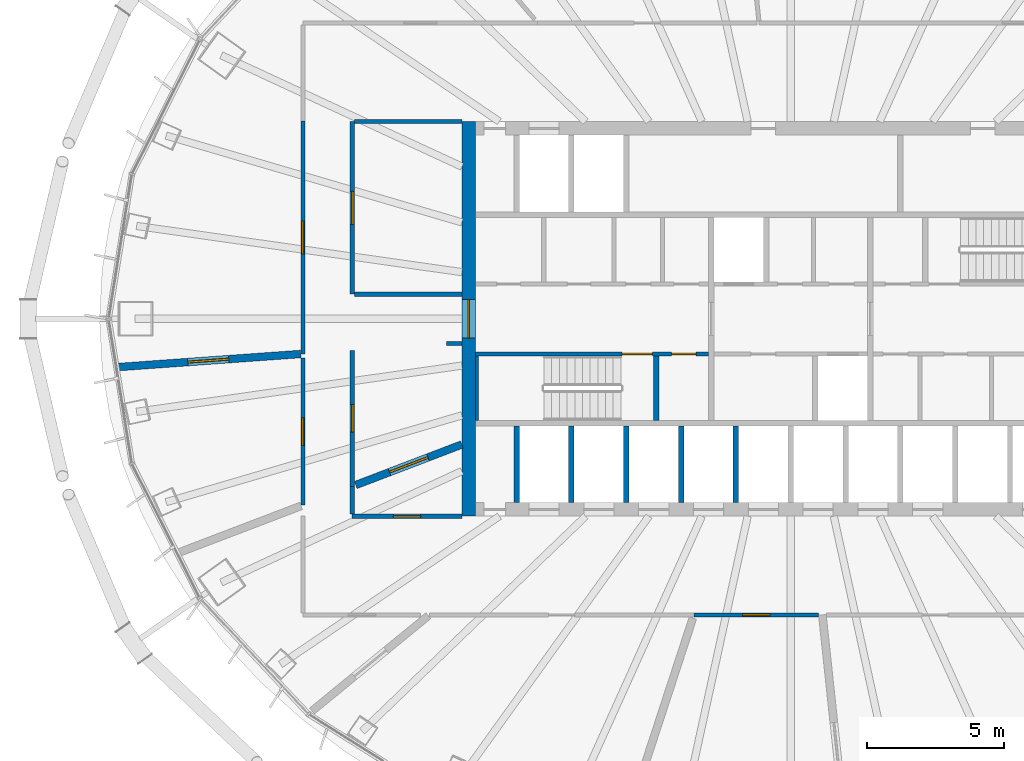
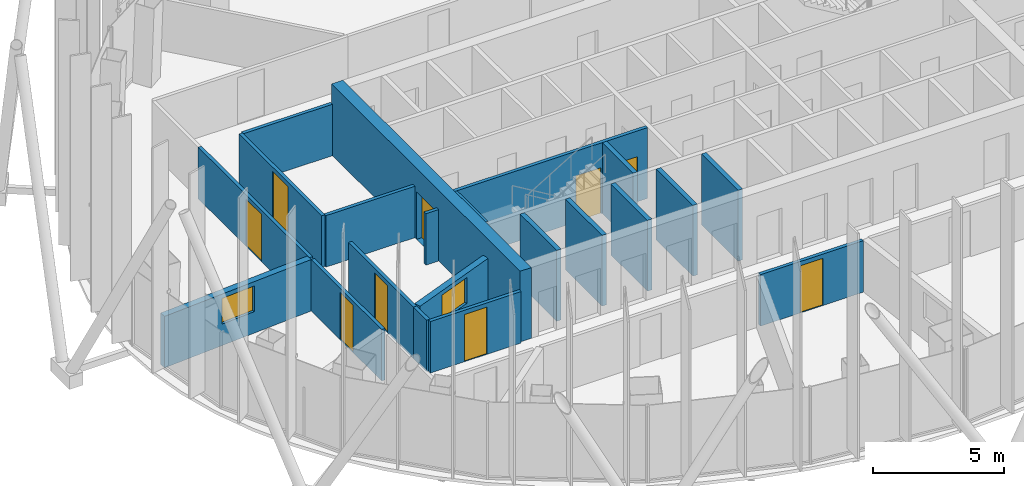
# One storey, part 8 of 19: 21 walls, 9 doors, 2 windows, 11 openings.
"""IFC4 building model written with IfcOpenShell, lengths in metres."""

from ifc_helpers import new_model, si_unit, direction, frame, frame_2d, origin, place, context, subcontext, project, spatial, rectangle, extrude, material, layer, layer_set, type_object, element, fill, save


model = new_model("IFC4")

# Units and contexts
model_context = context("Model", 3, precision=1e-05, world=origin(), true_north=direction((0.0, 1.0)))
body_context = subcontext(model_context, "Body", "Model", "MODEL_VIEW")
ifc_project = project(units=[si_unit("LENGTHUNIT", "METRE"), si_unit("AREAUNIT", "SQUARE_METRE"), si_unit("VOLUMEUNIT", "CUBIC_METRE"), si_unit("PLANEANGLEUNIT", "RADIAN"), si_unit("MASSUNIT", "GRAM", prefix="KILO")], contexts=[model_context])

# Site, building, storey
site_placement = place(None, origin())
site = spatial("IfcSite", under=ifc_project, at=site_placement, CompositionType="ELEMENT")
building_placement = place(site_placement, origin())
building = spatial("IfcBuilding", under=site, at=building_placement, Name="Siaravel Broadcast Tower", CompositionType="ELEMENT")
storey_placement = place(building_placement, frame((0.0, 0.0, 130.39990234375)))
storey = spatial("IfcBuildingStorey", under=building, at=storey_placement, Name="L31", CompositionType="ELEMENT", Elevation=130.39990234375)

# Wall, opening, window
ifc_material_1 = material(Name="Double-leaf acoustic partition", Category="gypsum")
ifc_layer_1 = layer(ifc_material_1, 0.280029296875)
ifc_layer_set_1 = layer_set([ifc_layer_1], Name="Double-leaf acoustic partition")
wall_type_1 = type_object("IfcWallType", Name="Acoustic double-leaf wall 280", PredefinedType="PARTITIONING", material=ifc_layer_set_1)
wall_1_placement = place(storey_placement, frame((-24.622314453125, -1.764404296875, 0.0), z_axis=(0.0, 0.0, 1.0), x_axis=(0.997442181, 0.071477941, 0.0)))
wall_1 = element("IfcWall", 1, at=wall_1_placement, inside=storey, type_object=wall_type_1, Name="L31 partition 14", PredefinedType="PARTITIONING", context=body_context, shape_type="SweptSolid", body=[
    extrude(rectangle(XDim=6.762939453125, YDim=0.280029296875, at=frame_2d((3.38134765625, 0.0))), origin(), (0.0, 0.0, 1.0), 2.400146484375),
])
opening_1_placement = place(wall_1_placement, frame((2.631591796875, 0.0, 1.0)))
opening_1 = element("IfcOpeningElement", 2, at=opening_1_placement, cuts=wall_1, Name="Opening L31-W01", PredefinedType="OPENING", context=body_context, shape_type="SweptSolid", body=[
    extrude(rectangle(XDim=1.5, YDim=1.199951171875, at=frame_2d((0.75, 0.60009765625))), frame((0.0, 0.14990234375, 0.0), z_axis=(0.0, -1.0, 0.0), x_axis=(1.0, 0.0, 0.0)), (0.0, 0.0, 1.0), 0.300048828125),
])
ifc_material_2 = material(Name="Laminated acoustic glass", Category="glass")
window_type = type_object("IfcWindowType", Name="Studio viewing window 1500", PartitioningType="SINGLE_PANEL", PredefinedType="WINDOW", material=ifc_material_2)
window_1_placement = place(opening_1_placement, origin())
window_1 = element("IfcWindow", 3, at=window_1_placement, inside=storey, type_object=window_type, Name="L31 viewing window to Post-production room", OverallHeight=1.199951171875, OverallWidth=1.5, PartitioningType="SINGLE_PANEL", PredefinedType="WINDOW", context=body_context, shape_type="SweptSolid", body=[
    extrude(rectangle(XDim=1.5, YDim=1.199951171875, at=frame_2d((0.75, 0.60009765625))), frame((0.0, 0.030029296875, 0.0), z_axis=(0.0, -1.0, 0.0), x_axis=(1.0, 0.0, 0.0)), (0.0, 0.0, 1.0), 0.06005859375),
])
fill(opening_1, window_1)

wall_2_placement = place(storey_placement, frame((-15.873291015625, -6.06298828125, 0.0), z_axis=(0.0, 0.0, 1.0), x_axis=(0.934170215, 0.356827703, 0.0)))
wall_2 = element("IfcWall", 4, at=wall_2_placement, inside=storey, type_object=wall_type_1, Name="L31 partition 24", PredefinedType="PARTITIONING", context=body_context, shape_type="SweptSolid", body=[
    extrude(rectangle(XDim=4.146240234375, YDim=0.280029296875, at=frame_2d((2.0732421875, 0.0))), origin(), (0.0, 0.0, 1.0), 2.400146484375),
])
opening_2_placement = place(wall_2_placement, frame((1.322998046875, 0.0, 1.0)))
opening_2 = element("IfcOpeningElement", 5, at=opening_2_placement, cuts=wall_2, Name="Opening L31-W02", PredefinedType="OPENING", context=body_context, shape_type="SweptSolid", body=[
    extrude(rectangle(XDim=1.5, YDim=1.199951171875, at=frame_2d((0.75, 0.60009765625))), frame((0.0, 0.14990234375, 0.0), z_axis=(0.0, -1.0, 0.0), x_axis=(1.0, 0.0, 0.0)), (0.0, 0.0, 1.0), 0.300048828125),
])
window_2_placement = place(opening_2_placement, origin())
window_2 = element("IfcWindow", 6, at=window_2_placement, inside=storey, type_object=window_type, Name="L31 viewing window to Post-production room", OverallHeight=1.199951171875, OverallWidth=1.5, PartitioningType="SINGLE_PANEL", PredefinedType="WINDOW", context=body_context, shape_type="SweptSolid", body=[
    extrude(rectangle(XDim=1.5, YDim=1.199951171875, at=frame_2d((0.75, 0.60009765625))), frame((0.0, 0.030029296875, 0.0), z_axis=(0.0, -1.0, 0.0), x_axis=(1.0, 0.0, 0.0)), (0.0, 0.0, 1.0), 0.06005859375),
])
fill(opening_2, window_2)

# Wall, opening, door
ifc_material_3 = material(Name="Concrete C60/75", Category="concrete")
ifc_layer_2 = layer(ifc_material_3, 0.5)
ifc_layer_set_2 = layer_set([ifc_layer_2], Name="Concrete C60/75")
wall_type_2 = type_object("IfcWallType", Name="Core wall 500", PredefinedType="SHEAR", material=ifc_layer_set_2)
wall_3_placement = place(storey_placement, frame((-11.75, -7.199951171875, 0.0), z_axis=(0.0, 0.0, 1.0), x_axis=(0.0, 1.0, 0.0)))
wall_3 = element("IfcWall", 7, at=wall_3_placement, inside=storey, type_object=wall_type_2, Name="L31 core wall OW", PredefinedType="SHEAR", context=body_context, shape_type="SweptSolid", body=[
    extrude(rectangle(XDim=14.39990234375, YDim=0.5, at=frame_2d((7.199951171875, 0.0))), origin(), (0.0, 0.0, 1.0), 3.300048828125),
])
opening_3_placement = place(wall_3_placement, frame((6.5, 0.0, 0.0)))
opening_3 = element("IfcOpeningElement", 8, at=opening_3_placement, cuts=wall_3, Name="Opening L31-DX-W", PredefinedType="OPENING", context=body_context, shape_type="SweptSolid", body=[
    extrude(rectangle(XDim=1.39990234375, YDim=2.199951171875, at=frame_2d((0.699951171875, 1.10009765625))), frame((0.0, 0.260009765625, 0.0), z_axis=(0.0, -1.0, 0.0), x_axis=(1.0, 0.0, 0.0)), (0.0, 0.0, 1.0), 0.52001953125),
])
ifc_material_4 = material(Name="Steel", Category="steel")
door_type_1 = type_object("IfcDoorType", Name="Core exit door 1400", OperationType="DOUBLE_DOOR_SINGLE_SWING", PredefinedType="DOOR", material=ifc_material_4)
door_1_placement = place(opening_3_placement, origin())
door_1 = element("IfcDoor", 9, at=door_1_placement, inside=storey, type_object=door_type_1, Name="L31 door DX-W", OperationType="DOUBLE_DOOR_SINGLE_SWING", OverallHeight=2.199951171875, OverallWidth=1.39990234375, PredefinedType="DOOR", context=body_context, shape_type="SweptSolid", body=[
    extrude(rectangle(XDim=1.39990234375, YDim=2.199951171875, at=frame_2d((0.699951171875, 1.10009765625))), frame((0.0, 0.02490234375, 0.0), z_axis=(0.0, -1.0, 0.0), x_axis=(1.0, 0.0, 0.0)), (0.0, 0.0, 1.0), 0.050048828125),
])
fill(opening_3, door_1)

ifc_material_5 = material(Name="Gypsum board partition", Category="gypsum")
ifc_layer_3 = layer(ifc_material_5, 0.14990234375)
ifc_layer_set_3 = layer_set([ifc_layer_3], Name="Gypsum board partition")
wall_type_3 = type_object("IfcWallType", Name="Corridor wall 150", PredefinedType="PARTITIONING", material=ifc_layer_set_3)
wall_4_placement = place(storey_placement, frame((-17.800048828125, 7.2119140625, 0.0), z_axis=(0.0, 0.0, 1.0), x_axis=(0.0, -1.0, 0.0)))
wall_4 = element("IfcWall", 10, at=wall_4_placement, inside=storey, type_object=wall_type_3, Name="L31 partition 9", PredefinedType="PARTITIONING", context=body_context, shape_type="SweptSolid", body=[
    extrude(rectangle(XDim=8.487548828125, YDim=0.14990234375, at=frame_2d((4.24365234375, 0.0))), origin(), (0.0, 0.0, 1.0), 2.400146484375),
])
opening_4_placement = place(wall_4_placement, frame((3.643798828125, 0.0, 0.0)))
opening_4 = element("IfcOpeningElement", 11, at=opening_4_placement, cuts=wall_4, Name="Opening L31-004", PredefinedType="OPENING", context=body_context, shape_type="SweptSolid", body=[
    extrude(rectangle(XDim=1.199951171875, YDim=2.199951171875, at=frame_2d((0.60009765625, 1.10009765625))), frame((0.0, 0.0849609375, 0.0), z_axis=(0.0, -1.0, 0.0), x_axis=(1.0, 0.0, 0.0)), (0.0, 0.0, 1.0), 0.169921875),
])
ifc_material_6 = material(Name="Timber veneer", Category="wood")
door_type_2 = type_object("IfcDoorType", Name="Office double door 1200", OperationType="DOUBLE_DOOR_SINGLE_SWING", PredefinedType="DOOR", material=ifc_material_6)
door_2_placement = place(opening_4_placement, origin())
door_2 = element("IfcDoor", 12, at=door_2_placement, inside=storey, type_object=door_type_2, Name="L31 door to Open plan production office", OperationType="DOUBLE_DOOR_SINGLE_SWING", OverallHeight=2.199951171875, OverallWidth=1.199951171875, PredefinedType="DOOR", context=body_context, shape_type="SweptSolid", body=[
    extrude(rectangle(XDim=1.199951171875, YDim=2.199951171875, at=frame_2d((0.60009765625, 1.10009765625))), frame((0.0, 0.02490234375, 0.0), z_axis=(0.0, -1.0, 0.0), x_axis=(1.0, 0.0, 0.0)), (0.0, 0.0, 1.0), 0.050048828125),
])
fill(opening_4, door_2)

wall_5_placement = place(storey_placement, frame((-16.0, 0.89990234375, 0.0), z_axis=(0.0, 0.0, 1.0), x_axis=(0.0, 1.0, 0.0)))
wall_5 = element("IfcWall", 13, at=wall_5_placement, inside=storey, type_object=wall_type_3, Name="L31 partition 15", PredefinedType="PARTITIONING", context=body_context, shape_type="SweptSolid", body=[
    extrude(rectangle(XDim=6.300048828125, YDim=0.14990234375, at=frame_2d((3.14990234375, 0.0))), origin(), (0.0, 0.0, 1.0), 2.400146484375),
])
opening_5_placement = place(wall_5_placement, frame((2.550048828125, 0.0, 0.0)))
opening_5 = element("IfcOpeningElement", 14, at=opening_5_placement, cuts=wall_5, Name="Opening L31-005", PredefinedType="OPENING", context=body_context, shape_type="SweptSolid", body=[
    extrude(rectangle(XDim=1.199951171875, YDim=2.199951171875, at=frame_2d((0.60009765625, 1.10009765625))), frame((0.0, 0.0849609375, 0.0), z_axis=(0.0, -1.0, 0.0), x_axis=(1.0, 0.0, 0.0)), (0.0, 0.0, 1.0), 0.169921875),
])
door_3_placement = place(opening_5_placement, origin())
door_3 = element("IfcDoor", 15, at=door_3_placement, inside=storey, type_object=door_type_2, Name="L31 door to Open plan production office", OperationType="DOUBLE_DOOR_SINGLE_SWING", OverallHeight=2.199951171875, OverallWidth=1.199951171875, PredefinedType="DOOR", context=body_context, shape_type="SweptSolid", body=[
    extrude(rectangle(XDim=1.199951171875, YDim=2.199951171875, at=frame_2d((0.60009765625, 1.10009765625))), frame((0.0, 0.02490234375, 0.0), z_axis=(0.0, -1.0, 0.0), x_axis=(1.0, 0.0, 0.0)), (0.0, 0.0, 1.0), 0.050048828125),
])
fill(opening_5, door_3)

wall_6_placement = place(storey_placement, frame((-17.800048828125, -1.42333984375, 0.0), z_axis=(0.0, 0.0, 1.0), x_axis=(0.0, -1.0, 0.0)))
wall_6 = element("IfcWall", 16, at=wall_6_placement, inside=storey, type_object=wall_type_3, Name="L31 partition 18", PredefinedType="PARTITIONING", context=body_context, shape_type="SweptSolid", body=[
    extrude(rectangle(XDim=5.37548828125, YDim=0.14990234375, at=frame_2d((2.687744140625, 0.0))), origin(), (0.0, 0.0, 1.0), 2.400146484375),
])
opening_6_placement = place(wall_6_placement, frame((2.187744140625, 0.0, 0.0)))
opening_6 = element("IfcOpeningElement", 17, at=opening_6_placement, cuts=wall_6, Name="Opening L31-006", PredefinedType="OPENING", context=body_context, shape_type="SweptSolid", body=[
    extrude(rectangle(XDim=1.0, YDim=2.199951171875, at=frame_2d((0.5, 1.10009765625))), frame((0.0, 0.0849609375, 0.0), z_axis=(0.0, -1.0, 0.0), x_axis=(1.0, 0.0, 0.0)), (0.0, 0.0, 1.0), 0.169921875),
])
ifc_material_7 = material(Name="Acoustic timber and steel", Category="steel")
door_type_3 = type_object("IfcDoorType", Name="Acoustic door 1000", OperationType="SINGLE_SWING_LEFT", PredefinedType="DOOR", material=ifc_material_7)
door_4_placement = place(opening_6_placement, origin())
door_4 = element("IfcDoor", 18, at=door_4_placement, inside=storey, type_object=door_type_3, Name="L31 door to Post-production room", OperationType="SINGLE_SWING_RIGHT", OverallHeight=2.199951171875, OverallWidth=1.0, PredefinedType="DOOR", context=body_context, shape_type="SweptSolid", body=[
    extrude(rectangle(XDim=1.0, YDim=2.199951171875, at=frame_2d((0.5, 1.10009765625))), frame((0.0, 0.02490234375, 0.0), z_axis=(0.0, -1.0, 0.0), x_axis=(1.0, 0.0, 0.0)), (0.0, 0.0, 1.0), 0.050048828125),
])
fill(opening_6, door_4)

wall_7_placement = place(storey_placement, frame((-16.0, -6.111328125, 0.0), z_axis=(0.0, 0.0, 1.0), x_axis=(0.0, 1.0, 0.0)))
wall_7 = element("IfcWall", 19, at=wall_7_placement, inside=storey, type_object=wall_type_3, Name="L31 partition 20", PredefinedType="PARTITIONING", context=body_context, shape_type="SweptSolid", body=[
    extrude(rectangle(XDim=4.96484375, YDim=0.14990234375, at=frame_2d((2.482421875, 0.0))), origin(), (0.0, 0.0, 1.0), 2.400146484375),
])
opening_7_placement = place(wall_7_placement, frame((1.982421875, 0.0, 0.0)))
opening_7 = element("IfcOpeningElement", 20, at=opening_7_placement, cuts=wall_7, Name="Opening L31-007", PredefinedType="OPENING", context=body_context, shape_type="SweptSolid", body=[
    extrude(rectangle(XDim=1.0, YDim=2.199951171875, at=frame_2d((0.5, 1.10009765625))), frame((0.0, 0.0849609375, 0.0), z_axis=(0.0, -1.0, 0.0), x_axis=(1.0, 0.0, 0.0)), (0.0, 0.0, 1.0), 0.169921875),
])
door_5_placement = place(opening_7_placement, origin())
door_5 = element("IfcDoor", 21, at=door_5_placement, inside=storey, type_object=door_type_3, Name="L31 door to Post-production room", OperationType="SINGLE_SWING_LEFT", OverallHeight=2.199951171875, OverallWidth=1.0, PredefinedType="DOOR", context=body_context, shape_type="SweptSolid", body=[
    extrude(rectangle(XDim=1.0, YDim=2.199951171875, at=frame_2d((0.5, 1.10009765625))), frame((0.0, 0.02490234375, 0.0), z_axis=(0.0, -1.0, 0.0), x_axis=(1.0, 0.0, 0.0)), (0.0, 0.0, 1.0), 0.050048828125),
])
fill(opening_7, door_5)

wall_8_placement = place(storey_placement, frame((-3.531982421875, -10.800048828125, 0.0), z_axis=(0.0, 0.0, 1.0), x_axis=(1.0, 0.0, 0.0)))
wall_8 = element("IfcWall", 22, at=wall_8_placement, inside=storey, type_object=wall_type_3, Name="L31 partition 22", PredefinedType="PARTITIONING", context=body_context, shape_type="SweptSolid", body=[
    extrude(rectangle(XDim=4.544189453125, YDim=0.14990234375, at=frame_2d((2.27197265625, 0.0))), origin(), (0.0, 0.0, 1.0), 2.400146484375),
])
opening_8_placement = place(wall_8_placement, frame((1.772216796875, 0.0, 0.0)))
opening_8 = element("IfcOpeningElement", 23, at=opening_8_placement, cuts=wall_8, Name="Opening L31-011", PredefinedType="OPENING", context=body_context, shape_type="SweptSolid", body=[
    extrude(rectangle(XDim=1.0, YDim=2.199951171875, at=frame_2d((0.5, 1.10009765625))), frame((0.0, 0.0849609375, 0.0), z_axis=(0.0, -1.0, 0.0), x_axis=(1.0, 0.0, 0.0)), (0.0, 0.0, 1.0), 0.169921875),
])
door_6_placement = place(opening_8_placement, origin())
door_6 = element("IfcDoor", 24, at=door_6_placement, inside=storey, type_object=door_type_3, Name="L31 door to Viewing theatre", OperationType="SINGLE_SWING_LEFT", OverallHeight=2.199951171875, OverallWidth=1.0, PredefinedType="DOOR", context=body_context, shape_type="SweptSolid", body=[
    extrude(rectangle(XDim=1.0, YDim=2.199951171875, at=frame_2d((0.5, 1.10009765625))), frame((0.0, 0.02490234375, 0.0), z_axis=(0.0, -1.0, 0.0), x_axis=(1.0, 0.0, 0.0)), (0.0, 0.0, 1.0), 0.050048828125),
])
fill(opening_8, door_6)

# Wall
wall_9_placement = place(storey_placement, frame((-15.923095703125, 7.199951171875, 0.0), z_axis=(0.0, 0.0, 1.0), x_axis=(1.0, 0.0, 0.0)))
element("IfcWall", 25, at=wall_9_placement, inside=storey, type_object=wall_type_3, Name="L31 partition 27", PredefinedType="PARTITIONING", context=body_context, shape_type="SweptSolid", body=[
    extrude(rectangle(XDim=3.923095703125, YDim=0.14990234375, at=frame_2d((1.96142578125, 0.0))), origin(), (0.0, 0.0, 1.0), 2.400146484375),
])

# Wall, opening, door
wall_10_placement = place(storey_placement, frame((-12.0, -7.199951171875, 0.0), z_axis=(0.0, 0.0, 1.0), x_axis=(-1.0, 0.0, 0.0)))
wall_10 = element("IfcWall", 26, at=wall_10_placement, inside=storey, type_object=wall_type_3, Name="L31 partition 28", PredefinedType="PARTITIONING", context=body_context, shape_type="SweptSolid", body=[
    extrude(rectangle(XDim=4.0, YDim=0.14990234375, at=frame_2d((2.0, 0.0))), origin(), (0.0, 0.0, 1.0), 2.400146484375),
])
opening_9_placement = place(wall_10_placement, frame((1.5, 0.0, 0.0)))
opening_9 = element("IfcOpeningElement", 27, at=opening_9_placement, cuts=wall_10, Name="Opening L31-009", PredefinedType="OPENING", context=body_context, shape_type="SweptSolid", body=[
    extrude(rectangle(XDim=1.0, YDim=2.199951171875, at=frame_2d((0.5, 1.10009765625))), frame((0.0, 0.0849609375, 0.0), z_axis=(0.0, -1.0, 0.0), x_axis=(1.0, 0.0, 0.0)), (0.0, 0.0, 1.0), 0.169921875),
])
door_7_placement = place(opening_9_placement, origin())
door_7 = element("IfcDoor", 28, at=door_7_placement, inside=storey, type_object=door_type_3, Name="L31 door to Post-production room", OperationType="SINGLE_SWING_LEFT", OverallHeight=2.199951171875, OverallWidth=1.0, PredefinedType="DOOR", context=body_context, shape_type="SweptSolid", body=[
    extrude(rectangle(XDim=1.0, YDim=2.199951171875, at=frame_2d((0.5, 1.10009765625))), frame((0.0, 0.02490234375, 0.0), z_axis=(0.0, -1.0, 0.0), x_axis=(1.0, 0.0, 0.0)), (0.0, 0.0, 1.0), 0.050048828125),
])
fill(opening_9, door_7)

# Walls
wall_11_placement = place(storey_placement, frame((-12.0, 0.89990234375, 0.0), z_axis=(0.0, 0.0, 1.0), x_axis=(-1.0, 0.0, 0.0)))
element("IfcWall", 29, at=wall_11_placement, inside=storey, type_object=wall_type_3, Name="L31 partition 29", PredefinedType="PARTITIONING", context=body_context, shape_type="SweptSolid", body=[
    extrude(rectangle(XDim=3.923095703125, YDim=0.14990234375, at=frame_2d((1.96142578125, 0.0))), origin(), (0.0, 0.0, 1.0), 2.400146484375),
])
wall_12_placement = place(storey_placement, frame((-16.0, -7.123046875, 0.0), z_axis=(0.0, 0.0, 1.0), x_axis=(0.0, 1.0, 0.0)))
element("IfcWall", 30, at=wall_12_placement, inside=storey, type_object=wall_type_3, Name="L31 partition 43", PredefinedType="PARTITIONING", context=body_context, shape_type="SweptSolid", body=[
    extrude(rectangle(XDim=1.0107421875, YDim=0.14990234375, at=frame_2d((0.50537109375, 0.0))), origin(), (0.0, 0.0, 1.0), 2.400146484375),
])
wall_13_placement = place(storey_placement, frame((-12.558837890625, -0.89990234375, 0.0), z_axis=(0.0, 0.0, 1.0), x_axis=(1.0, 0.0, 0.0)))
element("IfcWall", 31, at=wall_13_placement, inside=storey, type_object=wall_type_3, Name="L31 partition 47", PredefinedType="PARTITIONING", context=body_context, shape_type="SweptSolid", body=[
    extrude(rectangle(XDim=0.558837890625, YDim=0.14990234375, at=frame_2d((0.279296875, 0.0))), origin(), (0.0, 0.0, 1.0), 2.400146484375),
])
ifc_layer_4 = layer(ifc_material_3, 0.10009765625)
ifc_layer_set_4 = layer_set([ifc_layer_4], Name="Concrete C60/75")
wall_type_4 = type_object("IfcWallType", Name="Shaft wall 100", PredefinedType="SHEAR", material=ifc_layer_set_4)
wall_14_placement = place(storey_placement, frame((-11.449951171875, -3.699951171875, 0.0), z_axis=(0.0, 0.0, 1.0), x_axis=(0.0, 1.0, 0.0)))
element("IfcWall", 32, at=wall_14_placement, inside=storey, type_object=wall_type_4, Name="L31 core wall ST1W", PredefinedType="SHEAR", context=body_context, shape_type="SweptSolid", body=[
    extrude(rectangle(XDim=2.349853515625, YDim=0.10009765625, at=frame_2d((1.1748046875, 0.0))), origin(), (0.0, 0.0, 1.0), 3.300048828125),
])

# Wall, openings, doors
ifc_layer_5 = layer(ifc_material_3, 0.14990234375)
ifc_layer_set_5 = layer_set([ifc_layer_5], Name="Concrete C60/75")
wall_type_5 = type_object("IfcWallType", Name="Shaft wall 150", PredefinedType="SHEAR", material=ifc_layer_set_5)
wall_15_placement = place(storey_placement, frame((-11.5, -1.27490234375, 0.0), z_axis=(0.0, 0.0, 1.0), x_axis=(1.0, 0.0, 0.0)))
wall_15 = element("IfcWall", 33, at=wall_15_placement, inside=storey, type_object=wall_type_5, Name="L31 core wall CSW", PredefinedType="SHEAR", context=body_context, shape_type="SweptSolid", body=[
    extrude(rectangle(XDim=8.5, YDim=0.14990234375, at=frame_2d((4.25, 0.0))), origin(), (0.0, 0.0, 1.0), 3.300048828125),
])
opening_10_placement = place(wall_15_placement, frame((5.35009765625, 0.0, 0.0)))
opening_10 = element("IfcOpeningElement", 34, at=opening_10_placement, cuts=wall_15, Name="Opening L31-DS-1", PredefinedType="OPENING", context=body_context, shape_type="SweptSolid", body=[
    extrude(rectangle(XDim=1.10009765625, YDim=2.14990234375, at=frame_2d((0.550048828125, 1.074951171875))), frame((0.0, 0.0849609375, 0.0), z_axis=(0.0, -1.0, 0.0), x_axis=(1.0, 0.0, 0.0)), (0.0, 0.0, 1.0), 0.169921875),
])
opening_11_placement = place(wall_15_placement, frame((7.14990234375, 0.0, 0.0)))
opening_11 = element("IfcOpeningElement", 35, at=opening_11_placement, cuts=wall_15, Name="Opening L31-DSW0", PredefinedType="OPENING", context=body_context, shape_type="SweptSolid", body=[
    extrude(rectangle(XDim=0.89990234375, YDim=2.10009765625, at=frame_2d((0.449951171875, 1.050048828125))), frame((0.0, 0.0849609375, 0.0), z_axis=(0.0, -1.0, 0.0), x_axis=(1.0, 0.0, 0.0)), (0.0, 0.0, 1.0), 0.169921875),
])
door_type_4 = type_object("IfcDoorType", Name="Core room door 900", OperationType="SINGLE_SWING_LEFT", PredefinedType="DOOR", material=ifc_material_6)
door_8_placement = place(opening_11_placement, origin())
door_8 = element("IfcDoor", 36, at=door_8_placement, inside=storey, type_object=door_type_4, Name="L31 door DSW0", OperationType="SINGLE_SWING_LEFT", OverallHeight=2.10009765625, OverallWidth=0.89990234375, PredefinedType="DOOR", context=body_context, shape_type="SweptSolid", body=[
    extrude(rectangle(XDim=0.89990234375, YDim=2.10009765625, at=frame_2d((0.449951171875, 1.050048828125))), frame((0.0, 0.02490234375, 0.0), z_axis=(0.0, -1.0, 0.0), x_axis=(1.0, 0.0, 0.0)), (0.0, 0.0, 1.0), 0.050048828125),
])
fill(opening_11, door_8)
door_type_5 = type_object("IfcDoorType", Name="Stair door 1100", OperationType="SINGLE_SWING_LEFT", PredefinedType="DOOR", material=ifc_material_4)
door_9_placement = place(opening_10_placement, origin())
door_9 = element("IfcDoor", 37, at=door_9_placement, inside=storey, type_object=door_type_5, Name="L31 door DS-1", OperationType="SINGLE_SWING_LEFT", OverallHeight=2.14990234375, OverallWidth=1.10009765625, PredefinedType="DOOR", context=body_context, shape_type="SweptSolid", body=[
    extrude(rectangle(XDim=1.10009765625, YDim=2.14990234375, at=frame_2d((0.550048828125, 1.074951171875))), frame((0.0, 0.02490234375, 0.0), z_axis=(0.0, -1.0, 0.0), x_axis=(1.0, 0.0, 0.0)), (0.0, 0.0, 1.0), 0.050048828125),
])
fill(opening_10, door_9)

# Walls
ifc_layer_6 = layer(ifc_material_3, 0.199951171875)
ifc_layer_set_6 = layer_set([ifc_layer_6], Name="Concrete C60/75")
wall_type_6 = type_object("IfcWallType", Name="Shaft wall 200", PredefinedType="SHEAR", material=ifc_layer_set_6)
for number, where, z_axis, x_axis, name in (
    (38, (-10.0, -6.699951171875, 0.0), (0.0, 0.0, 1.0), (0.0, 1.0, 0.0), "L31 core wall SWS0"),
    (39, (-8.0, -6.699951171875, 0.0), (0.0, 0.0, 1.0), (0.0, 1.0, 0.0), "L31 core wall SWS1"),
    (40, (-6.0, -6.699951171875, 0.0), (0.0, 0.0, 1.0), (0.0, 1.0, 0.0), "L31 core wall SWS2"),
    (41, (-4.0, -6.699951171875, 0.0), (0.0, 0.0, 1.0), (0.0, 1.0, 0.0), "L31 core wall SWS3"),
    (42, (-2.0, -6.699951171875, 0.0), (0.0, 0.0, 1.0), (0.0, 1.0, 0.0), "L31 core wall SWS4"),
):
    element("IfcWall", number, at=place(storey_placement, frame(where, z_axis=z_axis, x_axis=x_axis)), inside=storey, type_object=wall_type_6, Name=name, PredefinedType="SHEAR", context=body_context, shape_type="SweptSolid", body=[
        extrude(rectangle(XDim=2.800048828125, YDim=0.199951171875, at=frame_2d((1.39990234375, 0.0))), origin(), (0.0, 0.0, 1.0), 3.300048828125),
    ])
wall_16_placement = place(storey_placement, frame((-4.89990234375, -3.699951171875, 0.0), z_axis=(0.0, 0.0, 1.0), x_axis=(0.0, 1.0, 0.0)))
element("IfcWall", 43, at=wall_16_placement, inside=storey, type_object=wall_type_6, Name="L31 core wall ST1E", PredefinedType="SHEAR", context=body_context, shape_type="SweptSolid", body=[
    extrude(rectangle(XDim=2.349853515625, YDim=0.199951171875, at=frame_2d((1.1748046875, 0.0))), origin(), (0.0, 0.0, 1.0), 3.300048828125),
])

save(model, "model.ifc")
